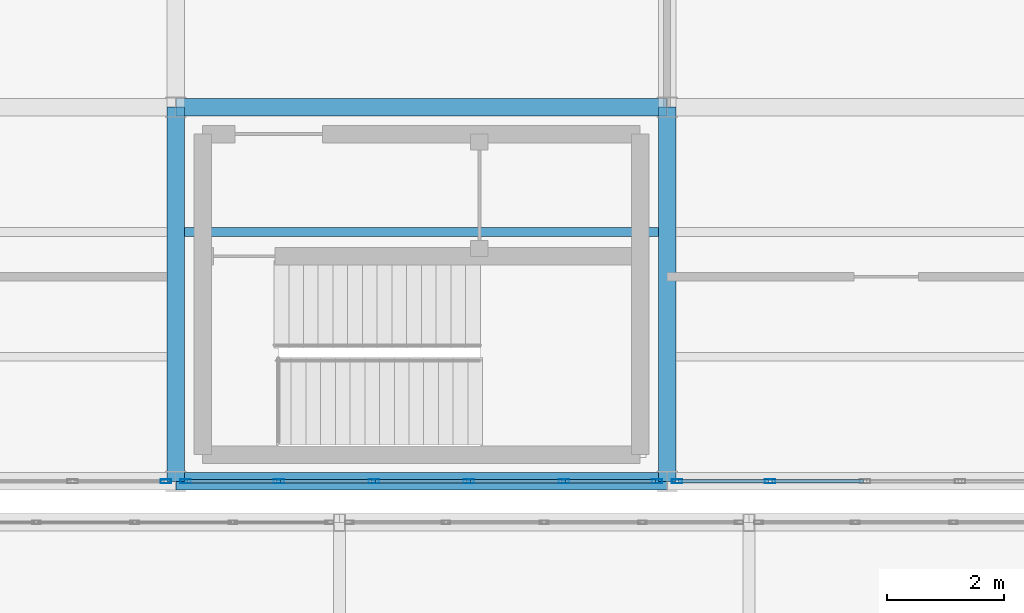
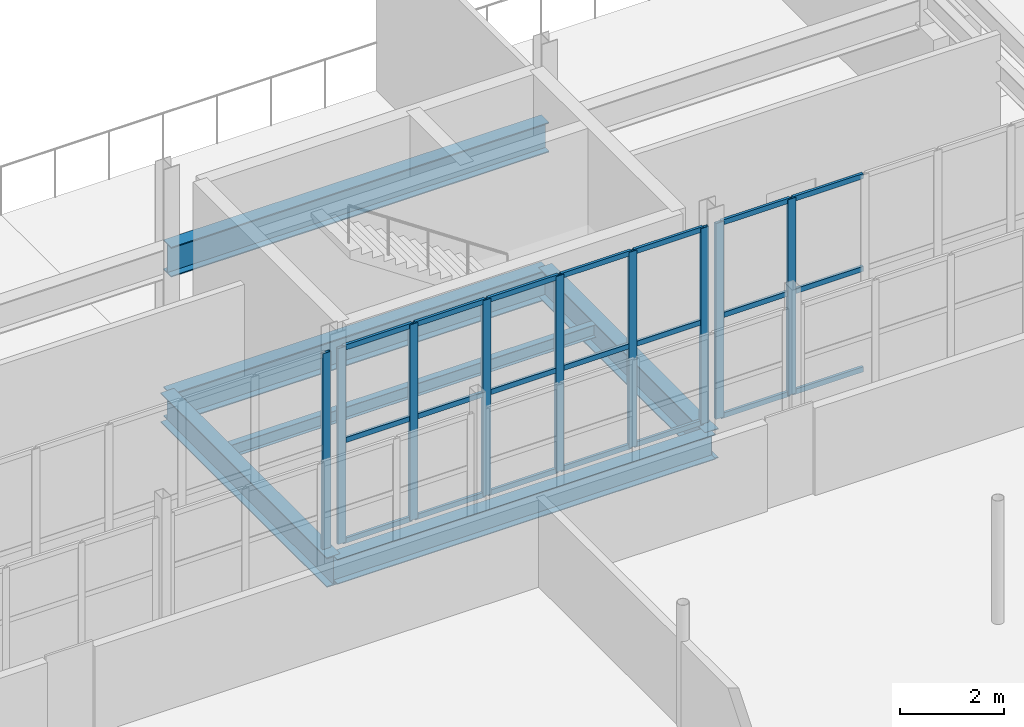
# One storey, part 109 of 218: 30 members, 6 beams, 3 elements without a shape of their own.
"""IFC4 building model written with IfcOpenShell, lengths in metres."""

from ifc_helpers import new_model, si_unit, direction, frame, origin, origin_2d, place, context, subcontext, project, spatial, hollow_rectangle, i_section, extrude, material, material_profile, profile_set, type_object, element, aggregate, save


model = new_model("IFC4")

# Units and contexts
model_context = context("Model", 3, precision=1e-05, world=origin(), true_north=direction((0.0, 1.0)))
body_context = subcontext(model_context, "Body", "Model", "MODEL_VIEW")
ifc_project = project(units=[si_unit("LENGTHUNIT", "METRE"), si_unit("AREAUNIT", "SQUARE_METRE"), si_unit("VOLUMEUNIT", "CUBIC_METRE"), si_unit("PLANEANGLEUNIT", "RADIAN"), si_unit("MASSUNIT", "GRAM", prefix="KILO")], contexts=[model_context])

# Site, building, storey
site_placement = place(None, origin())
site = spatial("IfcSite", under=ifc_project, at=site_placement, CompositionType="ELEMENT")
building_placement = place(site_placement, origin())
building = spatial("IfcBuilding", under=site, at=building_placement, Name="Kazenagashi Tramway Depot", CompositionType="ELEMENT")
storey_placement = place(building_placement, frame((0.0, 0.0, 6.0)))
storey = spatial("IfcBuildingStorey", under=building, at=storey_placement, Name="L02", CompositionType="ELEMENT", Elevation=6.0)

# Beams
ifc_material_1 = material(Name="Steel SN490B", Category="steel")
ifc_material_profile_1 = material_profile(ifc_material_1, i_section(OverallWidth=0.3, OverallDepth=0.7, WebThickness=0.013, FlangeThickness=0.024, at=origin_2d()), Name="H-700x300x13x24")
ifc_profile_set_1 = profile_set([ifc_material_profile_1], Name="Steel SN490B")
beam_type_1 = type_object("IfcBeamType", Name="G-02", PredefinedType="BEAM", material=ifc_profile_set_1)
beam_1_placement = place(storey_placement, frame((128.8, 22.9, -0.6), z_axis=(1.0, 0.0, 0.0), x_axis=(0.0, 1.0, 0.0)))
element("IfcBeam", 1, at=beam_1_placement, inside=storey, type_object=beam_type_1, Name="Beam G-02 BM-1016", PredefinedType="BEAM", context=body_context, shape_type="SweptSolid", body=[
    extrude(i_section(OverallWidth=0.3, OverallDepth=0.7, WebThickness=0.013, FlangeThickness=0.024, at=origin_2d()), origin(), (0.0, 0.0, 1.0), 8.4),
])
for number, where, z_axis, x_axis, name in (
    (2, (128.8, 16.5, -0.6), (0.0, 1.0, 0.0), (-1.0, 0.0, 0.0), "Beam G-02 BM-1089"),
    (3, (137.2, 16.5, -0.6), (0.0, 1.0, 0.0), (-1.0, 0.0, 0.0), "Beam G-02 BM-1094"),
):
    element("IfcBeam", number, at=place(storey_placement, frame(where, z_axis=z_axis, x_axis=x_axis)), inside=storey, type_object=beam_type_1, Name=name, PredefinedType="BEAM", context=body_context, shape_type="SweptSolid", body=[
        extrude(i_section(OverallWidth=0.3, OverallDepth=0.7, WebThickness=0.013, FlangeThickness=0.024, at=origin_2d()), origin(), (0.0, 0.0, 1.0), 6.4),
    ])
beam_2_placement = place(storey_placement, frame((128.8, 22.9, 2.85), z_axis=(1.0, 0.0, 0.0), x_axis=(0.0, 1.0, 0.0)))
element("IfcBeam", 4, at=beam_2_placement, inside=storey, type_object=beam_type_1, Name="Beam G-02 BM-1159", PredefinedType="BEAM", context=body_context, shape_type="SweptSolid", body=[
    extrude(i_section(OverallWidth=0.3, OverallDepth=0.7, WebThickness=0.013, FlangeThickness=0.024, at=origin_2d()), origin(), (0.0, 0.0, 1.0), 8.4),
])
ifc_material_2 = material(Name="Steel SN400B", Category="steel")
ifc_material_profile_2 = material_profile(ifc_material_2, i_section(OverallWidth=0.15, OverallDepth=0.3, WebThickness=0.0065, FlangeThickness=0.009, at=origin_2d()), Name="H-300x150x6.5x9")
ifc_profile_set_2 = profile_set([ifc_material_profile_2], Name="Steel SN400B")
beam_type_2 = type_object("IfcBeamType", Name="J-02", PredefinedType="JOIST", material=ifc_profile_set_2)
beam_3_placement = place(storey_placement, frame((128.95, 20.767, -0.4), z_axis=(1.0, 0.0, 0.0), x_axis=(0.0, 1.0, 0.0)))
element("IfcBeam", 5, at=beam_3_placement, inside=storey, type_object=beam_type_2, Name="Beam J-02 BM-1090", PredefinedType="JOIST", context=body_context, shape_type="SweptSolid", body=[
    extrude(i_section(OverallWidth=0.15, OverallDepth=0.3, WebThickness=0.0065, FlangeThickness=0.009, at=origin_2d()), origin(), (0.0, 0.0, 1.0), 8.1),
])

# Curtain wall, member
ifc_material_3 = material(Name="Anodised Aluminium and Low-E Glazing", Category="aluminium")
curtain_wall_type = type_object("IfcCurtainWallType", Name="CW-20", PredefinedType="USERDEFINED", material=ifc_material_3)
curtain_wall_1_placement = place(storey_placement, origin())
curtain_wall_1 = element("IfcCurtainWall", 6, at=curtain_wall_1_placement, inside=storey, type_object=curtain_wall_type, Name="Industrial Glazed Screen CW-20 CW-0104", ObjectType="GLAZED SCREEN", PredefinedType="USERDEFINED")
ifc_material_4 = material(Name="Anodised Aluminium", Category="aluminium")
ifc_material_profile_3 = material_profile(ifc_material_4, hollow_rectangle(XDim=0.07, YDim=0.18, WallThickness=0.005, at=origin_2d()), Name="RHS-180x70x5")
ifc_profile_set_3 = profile_set([ifc_material_profile_3], Name="Anodised Aluminium")
member_type_1 = type_object("IfcMemberType", Name="ML-02", PredefinedType="MULLION", material=ifc_profile_set_3)
member_1_placement = place(storey_placement, frame((128.63, 16.5, 0.0), z_axis=(0.0, 0.0, 1.0), x_axis=(0.0, 1.0, 0.0)))
member_1 = element("IfcMember", 7, at=member_1_placement, type_object=member_type_1, Name="CW-20 mullion 6", PredefinedType="MULLION", context=body_context, shape_type="SweptSolid", body=[
    extrude(hollow_rectangle(XDim=0.07, YDim=0.18, WallThickness=0.005, at=origin_2d()), origin(), (0.0, 0.0, 1.0), 4.6),
])
aggregate(curtain_wall_1, [member_1])

# Curtain wall, members
curtain_wall_2_placement = place(storey_placement, origin())
curtain_wall_2 = element("IfcCurtainWall", 8, at=curtain_wall_2_placement, inside=storey, type_object=curtain_wall_type, Name="Industrial Glazed Screen CW-20 CW-0105", ObjectType="GLAZED SCREEN", PredefinedType="USERDEFINED")
member_2_placement = place(storey_placement, frame((128.97, 16.5, 0.0), z_axis=(0.0, 0.0, 1.0), x_axis=(0.0, 1.0, 0.0)))
member_2 = element("IfcMember", 9, at=member_2_placement, type_object=member_type_1, Name="CW-20 mullion 1", PredefinedType="MULLION", context=body_context, shape_type="SweptSolid", body=[
    extrude(hollow_rectangle(XDim=0.07, YDim=0.18, WallThickness=0.005, at=origin_2d()), origin(), (0.0, 0.0, 1.0), 4.6),
])
member_3_placement = place(storey_placement, frame((130.564, 16.5, 0.0), z_axis=(0.0, 0.0, 1.0), x_axis=(0.0, 1.0, 0.0)))
member_3 = element("IfcMember", 10, at=member_3_placement, type_object=member_type_1, Name="CW-20 mullion 2", PredefinedType="MULLION", context=body_context, shape_type="SweptSolid", body=[
    extrude(hollow_rectangle(XDim=0.07, YDim=0.18, WallThickness=0.005, at=origin_2d()), origin(), (0.0, 0.0, 1.0), 4.6),
])
member_4_placement = place(storey_placement, frame((132.188, 16.5, 0.0), z_axis=(0.0, 0.0, 1.0), x_axis=(0.0, 1.0, 0.0)))
member_4 = element("IfcMember", 11, at=member_4_placement, type_object=member_type_1, Name="CW-20 mullion 3", PredefinedType="MULLION", context=body_context, shape_type="SweptSolid", body=[
    extrude(hollow_rectangle(XDim=0.07, YDim=0.18, WallThickness=0.005, at=origin_2d()), origin(), (0.0, 0.0, 1.0), 4.6),
])
member_5_placement = place(storey_placement, frame((133.812, 16.5, 0.0), z_axis=(0.0, 0.0, 1.0), x_axis=(0.0, 1.0, 0.0)))
member_5 = element("IfcMember", 12, at=member_5_placement, type_object=member_type_1, Name="CW-20 mullion 4", PredefinedType="MULLION", context=body_context, shape_type="SweptSolid", body=[
    extrude(hollow_rectangle(XDim=0.07, YDim=0.18, WallThickness=0.005, at=origin_2d()), origin(), (0.0, 0.0, 1.0), 4.6),
])
member_6_placement = place(storey_placement, frame((135.436, 16.5, 0.0), z_axis=(0.0, 0.0, 1.0), x_axis=(0.0, 1.0, 0.0)))
member_6 = element("IfcMember", 13, at=member_6_placement, type_object=member_type_1, Name="CW-20 mullion 5", PredefinedType="MULLION", context=body_context, shape_type="SweptSolid", body=[
    extrude(hollow_rectangle(XDim=0.07, YDim=0.18, WallThickness=0.005, at=origin_2d()), origin(), (0.0, 0.0, 1.0), 4.6),
])
member_7_placement = place(storey_placement, frame((137.03, 16.5, 0.0), z_axis=(0.0, 0.0, 1.0), x_axis=(0.0, 1.0, 0.0)))
member_7 = element("IfcMember", 14, at=member_7_placement, type_object=member_type_1, Name="CW-20 mullion 6", PredefinedType="MULLION", context=body_context, shape_type="SweptSolid", body=[
    extrude(hollow_rectangle(XDim=0.07, YDim=0.18, WallThickness=0.005, at=origin_2d()), origin(), (0.0, 0.0, 1.0), 4.6),
])

curtain_wall_3_placement = place(storey_placement, origin())
curtain_wall_3 = element("IfcCurtainWall", 15, at=curtain_wall_3_placement, inside=storey, type_object=curtain_wall_type, Name="Industrial Glazed Screen CW-20 CW-0106", ObjectType="GLAZED SCREEN", PredefinedType="USERDEFINED")
member_8_placement = place(storey_placement, frame((137.37, 16.5, 0.0), z_axis=(0.0, 0.0, 1.0), x_axis=(0.0, 1.0, 0.0)))
member_8 = element("IfcMember", 16, at=member_8_placement, type_object=member_type_1, Name="CW-20 mullion 1", PredefinedType="MULLION", context=body_context, shape_type="SweptSolid", body=[
    extrude(hollow_rectangle(XDim=0.07, YDim=0.18, WallThickness=0.005, at=origin_2d()), origin(), (0.0, 0.0, 1.0), 4.6),
])
member_9_placement = place(storey_placement, frame((138.964, 16.5, 0.0), z_axis=(0.0, 0.0, 1.0), x_axis=(0.0, 1.0, 0.0)))
member_9 = element("IfcMember", 17, at=member_9_placement, type_object=member_type_1, Name="CW-20 mullion 2", PredefinedType="MULLION", context=body_context, shape_type="SweptSolid", body=[
    extrude(hollow_rectangle(XDim=0.07, YDim=0.18, WallThickness=0.005, at=origin_2d()), origin(), (0.0, 0.0, 1.0), 4.6),
])

# Beam
ifc_material_profile_4 = material_profile(ifc_material_1, i_section(OverallWidth=0.3, OverallDepth=0.588, WebThickness=0.012, FlangeThickness=0.02, at=origin_2d()), Name="H-588x300x12x20")
ifc_profile_set_4 = profile_set([ifc_material_profile_4], Name="Steel SN490B")
beam_type_3 = type_object("IfcBeamType", Name="SP-01", PredefinedType="SPANDREL", material=ifc_profile_set_4)
beam_4_placement = place(storey_placement, frame((128.8, 16.5, -0.544), z_axis=(1.0, 0.0, 0.0), x_axis=(0.0, 1.0, 0.0)))
element("IfcBeam", 18, at=beam_4_placement, inside=storey, type_object=beam_type_3, Name="Beam SP-01 BM-1004", PredefinedType="SPANDREL", context=body_context, shape_type="SweptSolid", body=[
    extrude(i_section(OverallWidth=0.3, OverallDepth=0.588, WebThickness=0.012, FlangeThickness=0.02, at=origin_2d()), origin(), (0.0, 0.0, 1.0), 8.4),
])

# Member
ifc_material_profile_5 = material_profile(ifc_material_4, hollow_rectangle(XDim=0.06, YDim=0.12, WallThickness=0.004, at=origin_2d()), Name="RHS-120x60x4")
ifc_profile_set_5 = profile_set([ifc_material_profile_5], Name="Anodised Aluminium")
member_type_2 = type_object("IfcMemberType", Name="TR-01", PredefinedType="USERDEFINED", material=ifc_profile_set_5)
member_10_placement = place(storey_placement, frame((129.0, 16.5, 0.03), z_axis=(1.0, 0.0, 0.0), x_axis=(0.0, 1.0, 0.0)))
member_10 = element("IfcMember", 19, at=member_10_placement, type_object=member_type_2, Name="CW-20 transom 1.1", ObjectType="TRANSOM", PredefinedType="USERDEFINED", context=body_context, shape_type="SweptSolid", body=[
    extrude(hollow_rectangle(XDim=0.06, YDim=0.12, WallThickness=0.004, at=origin_2d()), origin(), (0.0, 0.0, 1.0), 1.534),
])

member_11_placement = place(storey_placement, frame((129.0, 16.5, 2.392), z_axis=(1.0, 0.0, 0.0), x_axis=(0.0, 1.0, 0.0)))
member_11 = element("IfcMember", 20, at=member_11_placement, type_object=member_type_2, Name="CW-20 transom 1.2", ObjectType="TRANSOM", PredefinedType="USERDEFINED", context=body_context, shape_type="SweptSolid", body=[
    extrude(hollow_rectangle(XDim=0.06, YDim=0.12, WallThickness=0.004, at=origin_2d()), origin(), (0.0, 0.0, 1.0), 1.534),
])

member_12_placement = place(storey_placement, frame((129.0, 16.5, 4.57), z_axis=(1.0, 0.0, 0.0), x_axis=(0.0, 1.0, 0.0)))
member_12 = element("IfcMember", 21, at=member_12_placement, type_object=member_type_2, Name="CW-20 transom 1.3", ObjectType="TRANSOM", PredefinedType="USERDEFINED", context=body_context, shape_type="SweptSolid", body=[
    extrude(hollow_rectangle(XDim=0.06, YDim=0.12, WallThickness=0.004, at=origin_2d()), origin(), (0.0, 0.0, 1.0), 1.534),
])

member_13_placement = place(storey_placement, frame((130.594, 16.5, 0.03), z_axis=(1.0, 0.0, 0.0), x_axis=(0.0, 1.0, 0.0)))
member_13 = element("IfcMember", 22, at=member_13_placement, type_object=member_type_2, Name="CW-20 transom 2.1", ObjectType="TRANSOM", PredefinedType="USERDEFINED", context=body_context, shape_type="SweptSolid", body=[
    extrude(hollow_rectangle(XDim=0.06, YDim=0.12, WallThickness=0.004, at=origin_2d()), origin(), (0.0, 0.0, 1.0), 1.564),
])

member_14_placement = place(storey_placement, frame((130.594, 16.5, 2.392), z_axis=(1.0, 0.0, 0.0), x_axis=(0.0, 1.0, 0.0)))
member_14 = element("IfcMember", 23, at=member_14_placement, type_object=member_type_2, Name="CW-20 transom 2.2", ObjectType="TRANSOM", PredefinedType="USERDEFINED", context=body_context, shape_type="SweptSolid", body=[
    extrude(hollow_rectangle(XDim=0.06, YDim=0.12, WallThickness=0.004, at=origin_2d()), origin(), (0.0, 0.0, 1.0), 1.564),
])

member_15_placement = place(storey_placement, frame((130.594, 16.5, 4.57), z_axis=(1.0, 0.0, 0.0), x_axis=(0.0, 1.0, 0.0)))
member_15 = element("IfcMember", 24, at=member_15_placement, type_object=member_type_2, Name="CW-20 transom 2.3", ObjectType="TRANSOM", PredefinedType="USERDEFINED", context=body_context, shape_type="SweptSolid", body=[
    extrude(hollow_rectangle(XDim=0.06, YDim=0.12, WallThickness=0.004, at=origin_2d()), origin(), (0.0, 0.0, 1.0), 1.564),
])

member_16_placement = place(storey_placement, frame((132.218, 16.5, 0.03), z_axis=(1.0, 0.0, 0.0), x_axis=(0.0, 1.0, 0.0)))
member_16 = element("IfcMember", 25, at=member_16_placement, type_object=member_type_2, Name="CW-20 transom 3.1", ObjectType="TRANSOM", PredefinedType="USERDEFINED", context=body_context, shape_type="SweptSolid", body=[
    extrude(hollow_rectangle(XDim=0.06, YDim=0.12, WallThickness=0.004, at=origin_2d()), origin(), (0.0, 0.0, 1.0), 1.564),
])

member_17_placement = place(storey_placement, frame((132.218, 16.5, 2.392), z_axis=(1.0, 0.0, 0.0), x_axis=(0.0, 1.0, 0.0)))
member_17 = element("IfcMember", 26, at=member_17_placement, type_object=member_type_2, Name="CW-20 transom 3.2", ObjectType="TRANSOM", PredefinedType="USERDEFINED", context=body_context, shape_type="SweptSolid", body=[
    extrude(hollow_rectangle(XDim=0.06, YDim=0.12, WallThickness=0.004, at=origin_2d()), origin(), (0.0, 0.0, 1.0), 1.564),
])

member_18_placement = place(storey_placement, frame((132.218, 16.5, 4.57), z_axis=(1.0, 0.0, 0.0), x_axis=(0.0, 1.0, 0.0)))
member_18 = element("IfcMember", 27, at=member_18_placement, type_object=member_type_2, Name="CW-20 transom 3.3", ObjectType="TRANSOM", PredefinedType="USERDEFINED", context=body_context, shape_type="SweptSolid", body=[
    extrude(hollow_rectangle(XDim=0.06, YDim=0.12, WallThickness=0.004, at=origin_2d()), origin(), (0.0, 0.0, 1.0), 1.564),
])

member_19_placement = place(storey_placement, frame((133.842, 16.5, 0.03), z_axis=(1.0, 0.0, 0.0), x_axis=(0.0, 1.0, 0.0)))
member_19 = element("IfcMember", 28, at=member_19_placement, type_object=member_type_2, Name="CW-20 transom 4.1", ObjectType="TRANSOM", PredefinedType="USERDEFINED", context=body_context, shape_type="SweptSolid", body=[
    extrude(hollow_rectangle(XDim=0.06, YDim=0.12, WallThickness=0.004, at=origin_2d()), origin(), (0.0, 0.0, 1.0), 1.564),
])

member_20_placement = place(storey_placement, frame((133.842, 16.5, 2.392), z_axis=(1.0, 0.0, 0.0), x_axis=(0.0, 1.0, 0.0)))
member_20 = element("IfcMember", 29, at=member_20_placement, type_object=member_type_2, Name="CW-20 transom 4.2", ObjectType="TRANSOM", PredefinedType="USERDEFINED", context=body_context, shape_type="SweptSolid", body=[
    extrude(hollow_rectangle(XDim=0.06, YDim=0.12, WallThickness=0.004, at=origin_2d()), origin(), (0.0, 0.0, 1.0), 1.564),
])

member_21_placement = place(storey_placement, frame((133.842, 16.5, 4.57), z_axis=(1.0, 0.0, 0.0), x_axis=(0.0, 1.0, 0.0)))
member_21 = element("IfcMember", 30, at=member_21_placement, type_object=member_type_2, Name="CW-20 transom 4.3", ObjectType="TRANSOM", PredefinedType="USERDEFINED", context=body_context, shape_type="SweptSolid", body=[
    extrude(hollow_rectangle(XDim=0.06, YDim=0.12, WallThickness=0.004, at=origin_2d()), origin(), (0.0, 0.0, 1.0), 1.564),
])

member_22_placement = place(storey_placement, frame((135.466, 16.5, 0.03), z_axis=(1.0, 0.0, 0.0), x_axis=(0.0, 1.0, 0.0)))
member_22 = element("IfcMember", 31, at=member_22_placement, type_object=member_type_2, Name="CW-20 transom 5.1", ObjectType="TRANSOM", PredefinedType="USERDEFINED", context=body_context, shape_type="SweptSolid", body=[
    extrude(hollow_rectangle(XDim=0.06, YDim=0.12, WallThickness=0.004, at=origin_2d()), origin(), (0.0, 0.0, 1.0), 1.534),
])

member_23_placement = place(storey_placement, frame((135.466, 16.5, 2.392), z_axis=(1.0, 0.0, 0.0), x_axis=(0.0, 1.0, 0.0)))
member_23 = element("IfcMember", 32, at=member_23_placement, type_object=member_type_2, Name="CW-20 transom 5.2", ObjectType="TRANSOM", PredefinedType="USERDEFINED", context=body_context, shape_type="SweptSolid", body=[
    extrude(hollow_rectangle(XDim=0.06, YDim=0.12, WallThickness=0.004, at=origin_2d()), origin(), (0.0, 0.0, 1.0), 1.534),
])

member_24_placement = place(storey_placement, frame((135.466, 16.5, 4.57), z_axis=(1.0, 0.0, 0.0), x_axis=(0.0, 1.0, 0.0)))
member_24 = element("IfcMember", 33, at=member_24_placement, type_object=member_type_2, Name="CW-20 transom 5.3", ObjectType="TRANSOM", PredefinedType="USERDEFINED", context=body_context, shape_type="SweptSolid", body=[
    extrude(hollow_rectangle(XDim=0.06, YDim=0.12, WallThickness=0.004, at=origin_2d()), origin(), (0.0, 0.0, 1.0), 1.534),
])

aggregate(curtain_wall_2, [member_2, member_3, member_4, member_5, member_6, member_7, member_10, member_11, member_12, member_13, member_14, member_15, member_16, member_17, member_18, member_19, member_20, member_21, member_22, member_23, member_24])

member_25_placement = place(storey_placement, frame((137.4, 16.5, 0.03), z_axis=(1.0, 0.0, 0.0), x_axis=(0.0, 1.0, 0.0)))
member_25 = element("IfcMember", 34, at=member_25_placement, type_object=member_type_2, Name="CW-20 transom 1.1", ObjectType="TRANSOM", PredefinedType="USERDEFINED", context=body_context, shape_type="SweptSolid", body=[
    extrude(hollow_rectangle(XDim=0.06, YDim=0.12, WallThickness=0.004, at=origin_2d()), origin(), (0.0, 0.0, 1.0), 1.534),
])

member_26_placement = place(storey_placement, frame((137.4, 16.5, 2.392), z_axis=(1.0, 0.0, 0.0), x_axis=(0.0, 1.0, 0.0)))
member_26 = element("IfcMember", 35, at=member_26_placement, type_object=member_type_2, Name="CW-20 transom 1.2", ObjectType="TRANSOM", PredefinedType="USERDEFINED", context=body_context, shape_type="SweptSolid", body=[
    extrude(hollow_rectangle(XDim=0.06, YDim=0.12, WallThickness=0.004, at=origin_2d()), origin(), (0.0, 0.0, 1.0), 1.534),
])

member_27_placement = place(storey_placement, frame((137.4, 16.5, 4.57), z_axis=(1.0, 0.0, 0.0), x_axis=(0.0, 1.0, 0.0)))
member_27 = element("IfcMember", 36, at=member_27_placement, type_object=member_type_2, Name="CW-20 transom 1.3", ObjectType="TRANSOM", PredefinedType="USERDEFINED", context=body_context, shape_type="SweptSolid", body=[
    extrude(hollow_rectangle(XDim=0.06, YDim=0.12, WallThickness=0.004, at=origin_2d()), origin(), (0.0, 0.0, 1.0), 1.534),
])

member_28_placement = place(storey_placement, frame((138.994, 16.5, 0.03), z_axis=(1.0, 0.0, 0.0), x_axis=(0.0, 1.0, 0.0)))
member_28 = element("IfcMember", 37, at=member_28_placement, type_object=member_type_2, Name="CW-20 transom 2.1", ObjectType="TRANSOM", PredefinedType="USERDEFINED", context=body_context, shape_type="SweptSolid", body=[
    extrude(hollow_rectangle(XDim=0.06, YDim=0.12, WallThickness=0.004, at=origin_2d()), origin(), (0.0, 0.0, 1.0), 1.564),
])

member_29_placement = place(storey_placement, frame((138.994, 16.5, 2.392), z_axis=(1.0, 0.0, 0.0), x_axis=(0.0, 1.0, 0.0)))
member_29 = element("IfcMember", 38, at=member_29_placement, type_object=member_type_2, Name="CW-20 transom 2.2", ObjectType="TRANSOM", PredefinedType="USERDEFINED", context=body_context, shape_type="SweptSolid", body=[
    extrude(hollow_rectangle(XDim=0.06, YDim=0.12, WallThickness=0.004, at=origin_2d()), origin(), (0.0, 0.0, 1.0), 1.564),
])

member_30_placement = place(storey_placement, frame((138.994, 16.5, 4.57), z_axis=(1.0, 0.0, 0.0), x_axis=(0.0, 1.0, 0.0)))
member_30 = element("IfcMember", 39, at=member_30_placement, type_object=member_type_2, Name="CW-20 transom 2.3", ObjectType="TRANSOM", PredefinedType="USERDEFINED", context=body_context, shape_type="SweptSolid", body=[
    extrude(hollow_rectangle(XDim=0.06, YDim=0.12, WallThickness=0.004, at=origin_2d()), origin(), (0.0, 0.0, 1.0), 1.564),
])

aggregate(curtain_wall_3, [member_8, member_9, member_25, member_26, member_27, member_28, member_29, member_30])

save(model, "model.ifc")
